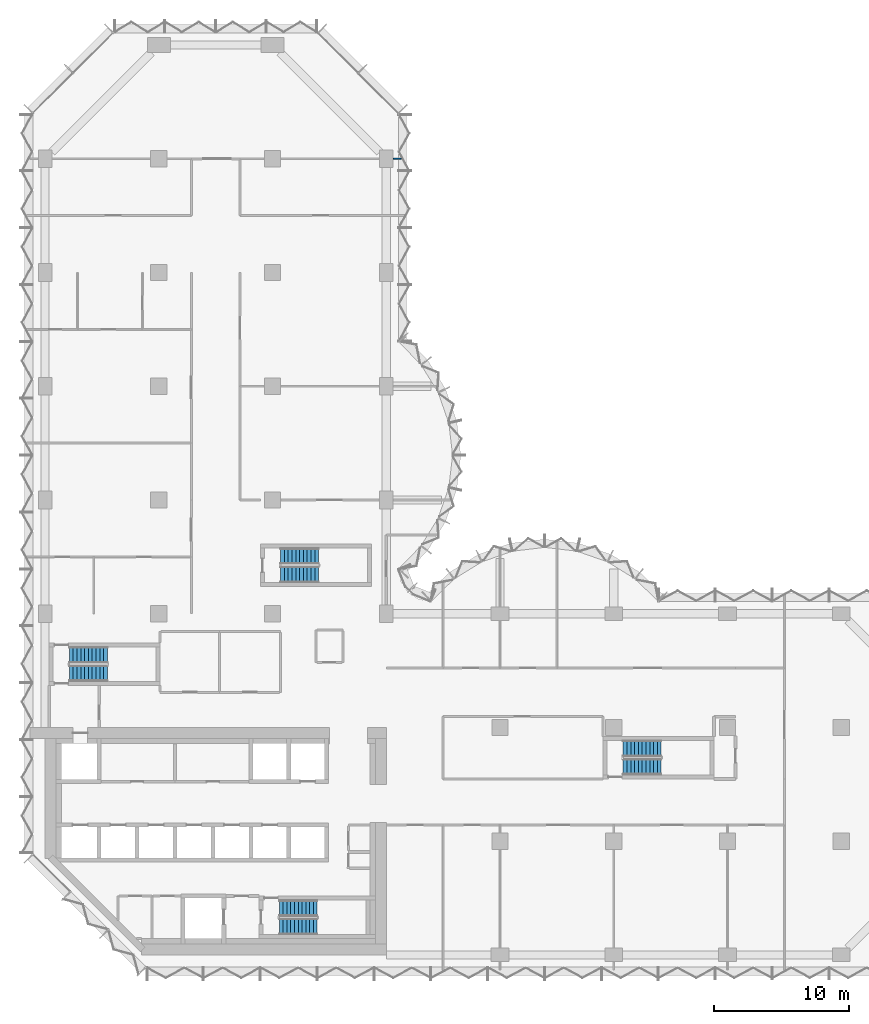
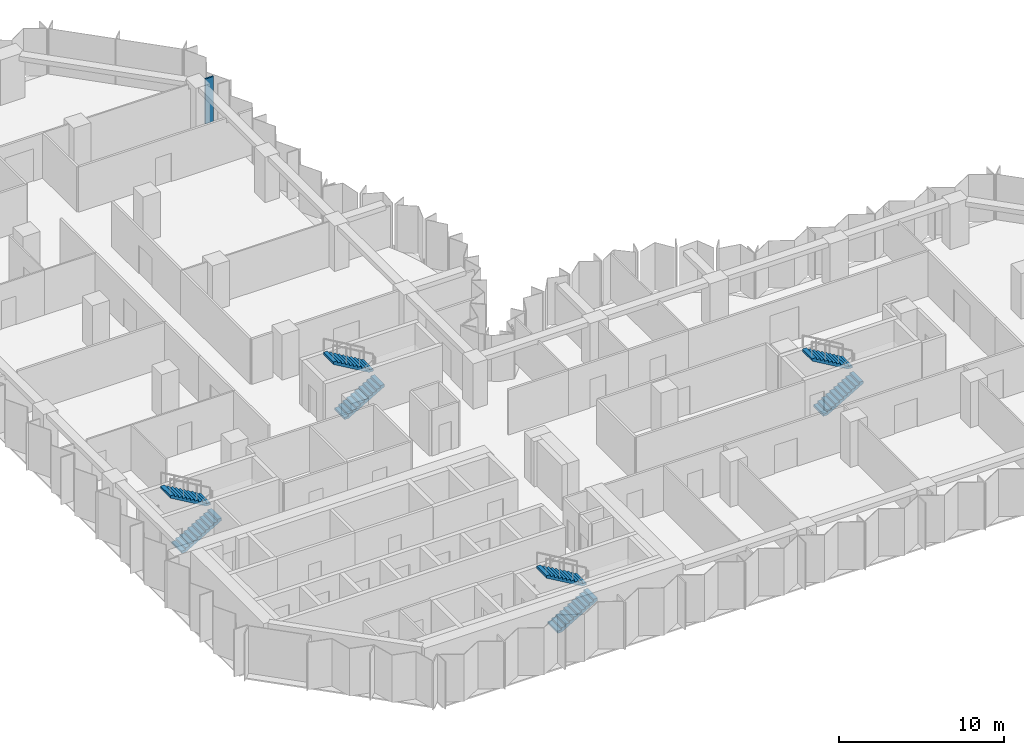
# One storey, part 11 of 13: 8 stair flights, 1 wall, 4 elements without a shape of their own.
"""IFC4 building model written with IfcOpenShell, lengths in metres."""

from ifc_helpers import new_model, si_unit, direction, frame, frame_2d, origin, place, context, subcontext, project, spatial, polyline, rectangle, outline, extrude, material, layer, layer_set, type_object, element, aggregate, save


model = new_model("IFC4")

# Units and contexts
model_context = context("Model", 3, precision=1e-05, world=origin(), true_north=direction((0.0, 1.0)))
body_context = subcontext(model_context, "Body", "Model", "MODEL_VIEW")
ifc_project = project(units=[si_unit("LENGTHUNIT", "METRE"), si_unit("AREAUNIT", "SQUARE_METRE"), si_unit("VOLUMEUNIT", "CUBIC_METRE"), si_unit("PLANEANGLEUNIT", "RADIAN"), si_unit("MASSUNIT", "GRAM", prefix="KILO")], contexts=[model_context])

# Site, building, storey
site_placement = place(None, origin())
site = spatial("IfcSite", under=ifc_project, at=site_placement, CompositionType="ELEMENT")
building_placement = place(site_placement, origin())
building = spatial("IfcBuilding", under=site, at=building_placement, Name="Brevane Broadcast Tower", CompositionType="ELEMENT")
storey_placement = place(building_placement, frame((0.0, 0.0, 113.300048828125)))
storey = spatial("IfcBuildingStorey", under=building, at=storey_placement, Name="L27", CompositionType="ELEMENT", Elevation=113.300048828125)

# Wall
ifc_material_1 = material(Name="Gypsum board partition")
ifc_layer = layer(ifc_material_1, 0.10009765625)
ifc_layer_set = layer_set([ifc_layer], Name="PARTITION 100 STUD")
wall_type = type_object("IfcWallType", Name="PARTITION 100 STUD", PredefinedType="PARTITIONING", material=ifc_layer_set)
wall_placement = place(storey_placement, frame((26.300048828125, 58.800048828125, 0.0), z_axis=(0.0, 0.0, 1.0), x_axis=(-1.0, 0.0, 0.0)))
element("IfcWall", 1, at=wall_placement, inside=storey, type_object=wall_type, Name="Partition G08-055", PredefinedType="PARTITIONING", context=body_context, shape_type="SweptSolid", body=[
    extrude(rectangle(XDim=0.580078125, YDim=0.10009765625, at=frame_2d((0.2900390625, 0.0))), origin(), (0.0, 0.0, 1.0), 3.329833984375),
])

# Stair, stair flights
ifc_material_2 = material(Name="Concrete C50/60", Category="concrete")
stair_type = type_object("IfcStairType", Name="Exit stair 22 risers", PredefinedType="HALF_TURN_STAIR", material=ifc_material_2)
stair_1_placement = place(storey_placement, origin())
stair_1 = element("IfcStair", 2, at=stair_1_placement, inside=storey, type_object=stair_type, Name="L27 Exit stair ST-1", PredefinedType="HALF_TURN_STAIR")
stair_flight_type = type_object("IfcStairFlightType", Name="Exit stair flight 22 risers", PredefinedType="STRAIGHT", material=ifc_material_2)
stair_flight_1_placement = place(storey_placement, frame((1.800048828125, 20.800048828125, 0.0), z_axis=(0.0, 0.0, 1.0), x_axis=(1.0, 0.0, 0.0)))
stair_flight_1 = element("IfcStairFlight", 3, at=stair_flight_1_placement, type_object=stair_flight_type, Name="ST-1 flight 1", NumberOfRisers=11, NumberOfTreads=10, PredefinedType="STRAIGHT", RiserHeight=0.163636364, TreadLength=0.28, context=body_context, shape_type="SweptSolid", body=[
    extrude(outline(polyline([(0.0, 0.0), (0.0, 0.16357421875), (0.280029296875, 0.16357421875), (0.280029296875, 0.327392578125), (0.56005859375, 0.327392578125), (0.56005859375, 0.490966796875), (0.840087890625, 0.490966796875), (0.840087890625, 0.654541015625), (1.1201171875, 0.654541015625), (1.1201171875, 0.818115234375), (1.39990234375, 0.818115234375), (1.39990234375, 0.98193359375), (1.679931640625, 0.98193359375), (1.679931640625, 1.1455078125), (1.9599609375, 1.1455078125), (1.9599609375, 1.30908203125), (2.239990234375, 1.30908203125), (2.239990234375, 1.47265625), (2.52001953125, 1.47265625), (2.52001953125, 1.636474609375), (2.800048828125, 1.636474609375), (2.800048828125, 1.800048828125), (2.800048828125, 1.462646484375), (0.297119140625, 0.0), (0.0, 0.0)])), frame((0.0, 0.60009765625, 0.0), z_axis=(0.0, -1.0, 0.0), x_axis=(1.0, 0.0, 0.0)), (0.0, 0.0, 1.0), 1.199951171875),
])
stair_flight_2_placement = place(storey_placement, frame((4.60009765625, 22.14990234375, 1.800048828125), z_axis=(0.0, 0.0, 1.0), x_axis=(-1.0, 0.0, 0.0)))
stair_flight_2 = element("IfcStairFlight", 4, at=stair_flight_2_placement, type_object=stair_flight_type, Name="ST-1 flight 2", NumberOfRisers=11, NumberOfTreads=10, PredefinedType="STRAIGHT", RiserHeight=0.163636364, TreadLength=0.28, context=body_context, shape_type="SweptSolid", body=[
    extrude(outline(polyline([(0.0, 0.0), (0.0, 0.16357421875), (0.280029296875, 0.16357421875), (0.280029296875, 0.327392578125), (0.56005859375, 0.327392578125), (0.56005859375, 0.490966796875), (0.840087890625, 0.490966796875), (0.840087890625, 0.654541015625), (1.1201171875, 0.654541015625), (1.1201171875, 0.818115234375), (1.39990234375, 0.818115234375), (1.39990234375, 0.98193359375), (1.679931640625, 0.98193359375), (1.679931640625, 1.1455078125), (1.9599609375, 1.1455078125), (1.9599609375, 1.30908203125), (2.239990234375, 1.30908203125), (2.239990234375, 1.47265625), (2.52001953125, 1.47265625), (2.52001953125, 1.636474609375), (2.800048828125, 1.636474609375), (2.800048828125, 1.800048828125), (2.800048828125, 1.462646484375), (0.297119140625, 0.0), (0.0, 0.0)])), frame((0.0, 0.60009765625, 0.0), z_axis=(0.0, -1.0, 0.0), x_axis=(1.0, 0.0, 0.0)), (0.0, 0.0, 1.0), 1.199951171875),
])
aggregate(stair_1, [stair_flight_1, stair_flight_2])

stair_2_placement = place(storey_placement, origin())
stair_2 = element("IfcStair", 5, at=stair_2_placement, inside=storey, type_object=stair_type, Name="L27 Exit stair ST-2", PredefinedType="HALF_TURN_STAIR")
stair_flight_3_placement = place(storey_placement, frame((17.300048828125, 2.10009765625, 0.0), z_axis=(0.0, 0.0, 1.0), x_axis=(1.0, 0.0, 0.0)))
stair_flight_3 = element("IfcStairFlight", 6, at=stair_flight_3_placement, type_object=stair_flight_type, Name="ST-2 flight 1", NumberOfRisers=11, NumberOfTreads=10, PredefinedType="STRAIGHT", RiserHeight=0.163636364, TreadLength=0.28, context=body_context, shape_type="SweptSolid", body=[
    extrude(outline(polyline([(0.0, 0.0), (0.0, 0.16357421875), (0.280029296875, 0.16357421875), (0.280029296875, 0.327392578125), (0.56005859375, 0.327392578125), (0.56005859375, 0.490966796875), (0.840087890625, 0.490966796875), (0.840087890625, 0.654541015625), (1.1201171875, 0.654541015625), (1.1201171875, 0.818115234375), (1.39990234375, 0.818115234375), (1.39990234375, 0.98193359375), (1.679931640625, 0.98193359375), (1.679931640625, 1.1455078125), (1.9599609375, 1.1455078125), (1.9599609375, 1.30908203125), (2.239990234375, 1.30908203125), (2.239990234375, 1.47265625), (2.52001953125, 1.47265625), (2.52001953125, 1.636474609375), (2.800048828125, 1.636474609375), (2.800048828125, 1.800048828125), (2.800048828125, 1.462646484375), (0.297119140625, 0.0), (0.0, 0.0)])), frame((0.0, 0.60009765625, 0.0), z_axis=(0.0, -1.0, 0.0), x_axis=(1.0, 0.0, 0.0)), (0.0, 0.0, 1.0), 1.199951171875),
])
stair_flight_4_placement = place(storey_placement, frame((20.10009765625, 3.449951171875, 1.800048828125), z_axis=(0.0, 0.0, 1.0), x_axis=(-1.0, 0.0, 0.0)))
stair_flight_4 = element("IfcStairFlight", 7, at=stair_flight_4_placement, type_object=stair_flight_type, Name="ST-2 flight 2", NumberOfRisers=11, NumberOfTreads=10, PredefinedType="STRAIGHT", RiserHeight=0.163636364, TreadLength=0.28, context=body_context, shape_type="SweptSolid", body=[
    extrude(outline(polyline([(0.0, 0.0), (0.0, 0.16357421875), (0.280029296875, 0.16357421875), (0.280029296875, 0.327392578125), (0.56005859375, 0.327392578125), (0.56005859375, 0.490966796875), (0.840087890625, 0.490966796875), (0.840087890625, 0.654541015625), (1.1201171875, 0.654541015625), (1.1201171875, 0.818115234375), (1.39990234375, 0.818115234375), (1.39990234375, 0.98193359375), (1.679931640625, 0.98193359375), (1.679931640625, 1.1455078125), (1.9599609375, 1.1455078125), (1.9599609375, 1.30908203125), (2.239990234375, 1.30908203125), (2.239990234375, 1.47265625), (2.52001953125, 1.47265625), (2.52001953125, 1.636474609375), (2.800048828125, 1.636474609375), (2.800048828125, 1.800048828125), (2.800048828125, 1.462646484375), (0.297119140625, 0.0), (0.0, 0.0)])), frame((0.0, 0.60009765625, 0.0), z_axis=(0.0, -1.0, 0.0), x_axis=(1.0, 0.0, 0.0)), (0.0, 0.0, 1.0), 1.199951171875),
])
aggregate(stair_2, [stair_flight_3, stair_flight_4])

stair_3_placement = place(storey_placement, origin())
stair_3 = element("IfcStair", 8, at=stair_3_placement, inside=storey, type_object=stair_type, Name="L27 Exit stair ST-3", PredefinedType="HALF_TURN_STAIR")
stair_flight_5_placement = place(storey_placement, frame((17.39990234375, 28.10009765625, 0.0), z_axis=(0.0, 0.0, 1.0), x_axis=(1.0, 0.0, 0.0)))
stair_flight_5 = element("IfcStairFlight", 9, at=stair_flight_5_placement, type_object=stair_flight_type, Name="ST-3 flight 1", NumberOfRisers=11, NumberOfTreads=10, PredefinedType="STRAIGHT", RiserHeight=0.163636364, TreadLength=0.28, context=body_context, shape_type="SweptSolid", body=[
    extrude(outline(polyline([(0.0, 0.0), (0.0, 0.16357421875), (0.280029296875, 0.16357421875), (0.280029296875, 0.327392578125), (0.56005859375, 0.327392578125), (0.56005859375, 0.490966796875), (0.840087890625, 0.490966796875), (0.840087890625, 0.654541015625), (1.1201171875, 0.654541015625), (1.1201171875, 0.818115234375), (1.39990234375, 0.818115234375), (1.39990234375, 0.98193359375), (1.679931640625, 0.98193359375), (1.679931640625, 1.1455078125), (1.9599609375, 1.1455078125), (1.9599609375, 1.30908203125), (2.239990234375, 1.30908203125), (2.239990234375, 1.47265625), (2.52001953125, 1.47265625), (2.52001953125, 1.636474609375), (2.800048828125, 1.636474609375), (2.800048828125, 1.800048828125), (2.800048828125, 1.462646484375), (0.297119140625, 0.0), (0.0, 0.0)])), frame((0.0, 0.60009765625, 0.0), z_axis=(0.0, -1.0, 0.0), x_axis=(1.0, 0.0, 0.0)), (0.0, 0.0, 1.0), 1.199951171875),
])
stair_flight_6_placement = place(storey_placement, frame((20.199951171875, 29.449951171875, 1.800048828125), z_axis=(0.0, 0.0, 1.0), x_axis=(-1.0, 0.0, 0.0)))
stair_flight_6 = element("IfcStairFlight", 10, at=stair_flight_6_placement, type_object=stair_flight_type, Name="ST-3 flight 2", NumberOfRisers=11, NumberOfTreads=10, PredefinedType="STRAIGHT", RiserHeight=0.163636364, TreadLength=0.28, context=body_context, shape_type="SweptSolid", body=[
    extrude(outline(polyline([(0.0, 0.0), (0.0, 0.16357421875), (0.280029296875, 0.16357421875), (0.280029296875, 0.327392578125), (0.56005859375, 0.327392578125), (0.56005859375, 0.490966796875), (0.840087890625, 0.490966796875), (0.840087890625, 0.654541015625), (1.1201171875, 0.654541015625), (1.1201171875, 0.818115234375), (1.39990234375, 0.818115234375), (1.39990234375, 0.98193359375), (1.679931640625, 0.98193359375), (1.679931640625, 1.1455078125), (1.9599609375, 1.1455078125), (1.9599609375, 1.30908203125), (2.239990234375, 1.30908203125), (2.239990234375, 1.47265625), (2.52001953125, 1.47265625), (2.52001953125, 1.636474609375), (2.800048828125, 1.636474609375), (2.800048828125, 1.800048828125), (2.800048828125, 1.462646484375), (0.297119140625, 0.0), (0.0, 0.0)])), frame((0.0, 0.60009765625, 0.0), z_axis=(0.0, -1.0, 0.0), x_axis=(1.0, 0.0, 0.0)), (0.0, 0.0, 1.0), 1.199951171875),
])
aggregate(stair_3, [stair_flight_5, stair_flight_6])

stair_4_placement = place(storey_placement, origin())
stair_4 = element("IfcStair", 11, at=stair_4_placement, inside=storey, type_object=stair_type, Name="L27 Exit stair ST-4", PredefinedType="HALF_TURN_STAIR")
stair_flight_7_placement = place(storey_placement, frame((42.699951171875, 13.89990234375, 0.0), z_axis=(0.0, 0.0, 1.0), x_axis=(1.0, 0.0, 0.0)))
stair_flight_7 = element("IfcStairFlight", 12, at=stair_flight_7_placement, type_object=stair_flight_type, Name="ST-4 flight 1", NumberOfRisers=11, NumberOfTreads=10, PredefinedType="STRAIGHT", RiserHeight=0.163636364, TreadLength=0.28, context=body_context, shape_type="SweptSolid", body=[
    extrude(outline(polyline([(0.0, 0.0), (0.0, 0.16357421875), (0.280029296875, 0.16357421875), (0.280029296875, 0.327392578125), (0.56005859375, 0.327392578125), (0.56005859375, 0.490966796875), (0.840087890625, 0.490966796875), (0.840087890625, 0.654541015625), (1.1201171875, 0.654541015625), (1.1201171875, 0.818115234375), (1.39990234375, 0.818115234375), (1.39990234375, 0.98193359375), (1.679931640625, 0.98193359375), (1.679931640625, 1.1455078125), (1.9599609375, 1.1455078125), (1.9599609375, 1.30908203125), (2.239990234375, 1.30908203125), (2.239990234375, 1.47265625), (2.52001953125, 1.47265625), (2.52001953125, 1.636474609375), (2.800048828125, 1.636474609375), (2.800048828125, 1.800048828125), (2.800048828125, 1.462646484375), (0.297119140625, 0.0), (0.0, 0.0)])), frame((0.0, 0.60009765625, 0.0), z_axis=(0.0, -1.0, 0.0), x_axis=(1.0, 0.0, 0.0)), (0.0, 0.0, 1.0), 1.199951171875),
])
stair_flight_8_placement = place(storey_placement, frame((45.5, 15.25, 1.800048828125), z_axis=(0.0, 0.0, 1.0), x_axis=(-1.0, 0.0, 0.0)))
stair_flight_8 = element("IfcStairFlight", 13, at=stair_flight_8_placement, type_object=stair_flight_type, Name="ST-4 flight 2", NumberOfRisers=11, NumberOfTreads=10, PredefinedType="STRAIGHT", RiserHeight=0.163636364, TreadLength=0.28, context=body_context, shape_type="SweptSolid", body=[
    extrude(outline(polyline([(0.0, 0.0), (0.0, 0.16357421875), (0.280029296875, 0.16357421875), (0.280029296875, 0.327392578125), (0.56005859375, 0.327392578125), (0.56005859375, 0.490966796875), (0.840087890625, 0.490966796875), (0.840087890625, 0.654541015625), (1.1201171875, 0.654541015625), (1.1201171875, 0.818115234375), (1.39990234375, 0.818115234375), (1.39990234375, 0.98193359375), (1.679931640625, 0.98193359375), (1.679931640625, 1.1455078125), (1.9599609375, 1.1455078125), (1.9599609375, 1.30908203125), (2.239990234375, 1.30908203125), (2.239990234375, 1.47265625), (2.52001953125, 1.47265625), (2.52001953125, 1.636474609375), (2.800048828125, 1.636474609375), (2.800048828125, 1.800048828125), (2.800048828125, 1.462646484375), (0.297119140625, 0.0), (0.0, 0.0)])), frame((0.0, 0.60009765625, 0.0), z_axis=(0.0, -1.0, 0.0), x_axis=(1.0, 0.0, 0.0)), (0.0, 0.0, 1.0), 1.199951171875),
])
aggregate(stair_4, [stair_flight_7, stair_flight_8])

save(model, "model.ifc")
